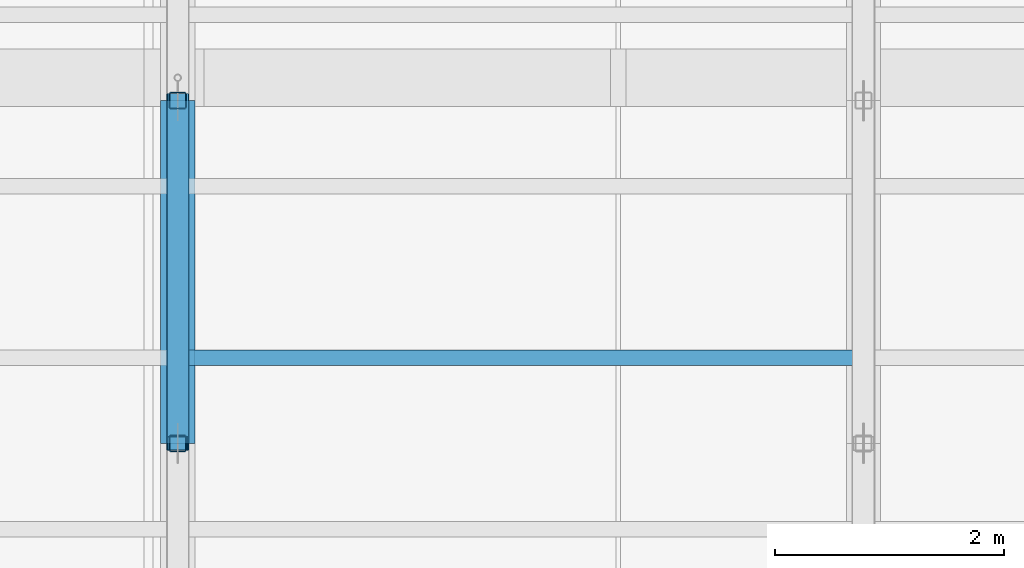
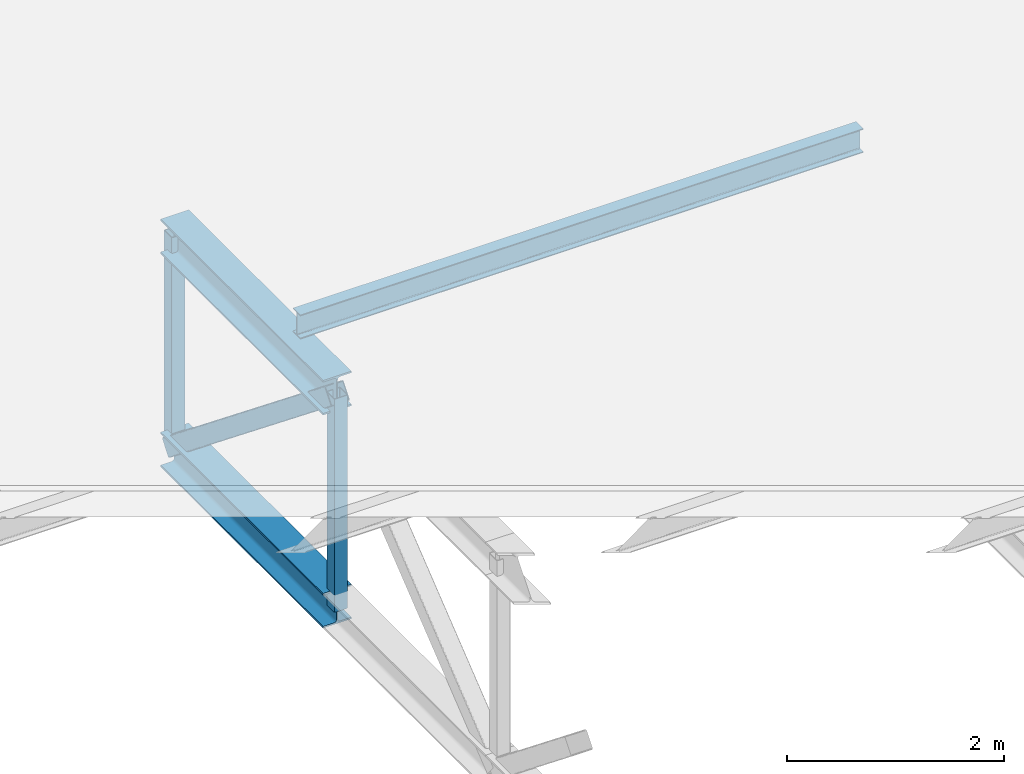
# One storey, part 19 of 55: 5 members, 1 beam.
"""IFC4 building model written with IfcOpenShell, lengths in metres."""

from ifc_helpers import new_model, si_unit, direction, frame, origin, origin_2d, place, context, subcontext, project, spatial, hollow_rectangle, i_section, extrude, material, material_profile, profile_set, type_object, element, save


model = new_model("IFC4")

# Units and contexts
model_context = context("Model", 3, precision=1e-05, world=origin(), true_north=direction((0.0, 1.0)))
body_context = subcontext(model_context, "Body", "Model", "MODEL_VIEW")
ifc_project = project(units=[si_unit("LENGTHUNIT", "METRE"), si_unit("AREAUNIT", "SQUARE_METRE"), si_unit("VOLUMEUNIT", "CUBIC_METRE"), si_unit("PLANEANGLEUNIT", "RADIAN"), si_unit("MASSUNIT", "GRAM", prefix="KILO")], contexts=[model_context])

# Site, building, storey
site_placement = place(None, origin())
site = spatial("IfcSite", under=ifc_project, at=site_placement, CompositionType="ELEMENT")
building_placement = place(site_placement, origin())
building = spatial("IfcBuilding", under=site, at=building_placement, Name="Lunette Opera House", CompositionType="ELEMENT")
storey_placement = place(building_placement, frame((0.0, 0.0, 34.0)))
storey = spatial("IfcBuildingStorey", under=building, at=storey_placement, Name="L06", CompositionType="ELEMENT", Elevation=34.0)

# Members
ifc_material_1 = material(Name="Steel S355", Category="steel")
ifc_material_profile_1 = material_profile(ifc_material_1, i_section(OverallWidth=0.300048828125, OverallDepth=0.389892578125, WebThickness=0.010986328125, FlangeThickness=0.01904296875, FilletRadius=0.027099609375, at=origin_2d()), Name="HEA 400")
ifc_profile_set_1 = profile_set([ifc_material_profile_1], Name="Steel S355")
member_type_1 = type_object("IfcMemberType", Name="CHORD HEA 400", PredefinedType="CHORD", material=ifc_profile_set_1)
for number, where, z_axis, x_axis, name in (
    (1, (90.0, 111.0, -0.6650390625), (0.0, 1.0, 0.0), (-1.0, 0.0, 0.0), "mem-ST-L06-ST-TR01-TC6"),
    (2, (90.0, 111.0, -3.06494140625), (0.0, 1.0, 0.0), (-1.0, 0.0, 0.0), "mem-ST-L06-ST-TR01-BC6"),
):
    element("IfcMember", number, at=place(storey_placement, frame(where, z_axis=z_axis, x_axis=x_axis)), inside=storey, type_object=member_type_1, Name=name, PredefinedType="CHORD", context=body_context, shape_type="SweptSolid", body=[
        extrude(i_section(OverallWidth=0.300048828125, OverallDepth=0.389892578125, WebThickness=0.010986328125, FlangeThickness=0.01904296875, FilletRadius=0.027099609375, at=origin_2d()), origin(), (0.0, 0.0, 1.0), 3.0),
    ])
ifc_material_2 = material(Name="Steel S355", Category="steel")
ifc_material_profile_2 = material_profile(ifc_material_2, hollow_rectangle(XDim=0.199951171875, YDim=0.199951171875, WallThickness=0.008056640625, InnerFilletRadius=0.008056640625, OuterFilletRadius=0.01611328125, at=origin_2d()), Name="RHS 200X200X8")
ifc_profile_set_2 = profile_set([ifc_material_profile_2], Name="Steel S355")
member_type_2 = type_object("IfcMemberType", Name="DIAGONAL RHS 200X200X8", PredefinedType="BRACE", material=ifc_profile_set_2)
member_placement = place(storey_placement, frame((90.0, 111.0, -0.6650390625), z_axis=(0.0, 0.780881208953, -0.624679547852), x_axis=(-1.0, 0.0, 0.0)))
element("IfcMember", 3, at=member_placement, inside=storey, type_object=member_type_2, Name="mem-ST-L06-ST-TR01-TD6", PredefinedType="BRACE", context=body_context, shape_type="SweptSolid", body=[
    extrude(hollow_rectangle(XDim=0.199951171875, YDim=0.199951171875, WallThickness=0.008056640625, InnerFilletRadius=0.008056640625, OuterFilletRadius=0.01611328125, at=origin_2d()), origin(), (0.0, 0.0, 1.0), 3.841796875),
])

# Beam
ifc_material_3 = material(Name="Steel S355", Category="steel")
ifc_material_profile_3 = material_profile(ifc_material_3, i_section(OverallWidth=0.135009765625, OverallDepth=0.27001953125, WebThickness=0.006591796875, FlangeThickness=0.01025390625, FilletRadius=0.014892578125, at=origin_2d()), Name="IPE 270")
ifc_profile_set_3 = profile_set([ifc_material_profile_3], Name="Steel S355")
beam_type = type_object("IfcBeamType", Name="STEEL BEAM IPE 270", PredefinedType="BEAM", material=ifc_profile_set_3)
beam_placement = place(storey_placement, frame((90.0, 111.75, -0.3349609375), z_axis=(1.0, 0.0, 0.0), x_axis=(0.0, 1.0, 0.0)))
element("IfcBeam", 4, at=beam_placement, inside=storey, type_object=beam_type, Name="beam-ST-L06-GRID-11175-2", PredefinedType="BEAM", context=body_context, shape_type="SweptSolid", body=[
    extrude(i_section(OverallWidth=0.135009765625, OverallDepth=0.27001953125, WebThickness=0.006591796875, FlangeThickness=0.01025390625, FilletRadius=0.014892578125, at=origin_2d()), origin(), (0.0, 0.0, 1.0), 6.0),
])

# Members
ifc_material_4 = material(Name="Steel S355", Category="steel")
ifc_material_profile_4 = material_profile(ifc_material_4, hollow_rectangle(XDim=0.14990234375, YDim=0.14990234375, WallThickness=0.008056640625, InnerFilletRadius=0.008056640625, OuterFilletRadius=0.01611328125, at=origin_2d()), Name="RHS 150X150X8")
ifc_profile_set_4 = profile_set([ifc_material_profile_4], Name="Steel S355")
member_type_3 = type_object("IfcMemberType", Name="VERTICAL RHS 150X150X8", PredefinedType="POST", material=ifc_profile_set_4)
for number, where, z_axis, x_axis, name in (
    (5, (90.0, 111.0, -3.06494140625), (0.0, 0.0, 1.0), (1.0, 0.0, 0.0), "mem-ST-L06-ST-TR01-TV6"),
    (6, (90.0, 114.0, -3.06494140625), (0.0, 0.0, 1.0), (1.0, 0.0, 0.0), "mem-ST-L06-ST-TR01-TV7"),
):
    element("IfcMember", number, at=place(storey_placement, frame(where, z_axis=z_axis, x_axis=x_axis)), inside=storey, type_object=member_type_3, Name=name, PredefinedType="POST", context=body_context, shape_type="SweptSolid", body=[
        extrude(hollow_rectangle(XDim=0.14990234375, YDim=0.14990234375, WallThickness=0.008056640625, InnerFilletRadius=0.008056640625, OuterFilletRadius=0.01611328125, at=origin_2d()), origin(), (0.0, 0.0, 1.0), 2.39990234375),
    ])

save(model, "model.ifc")
